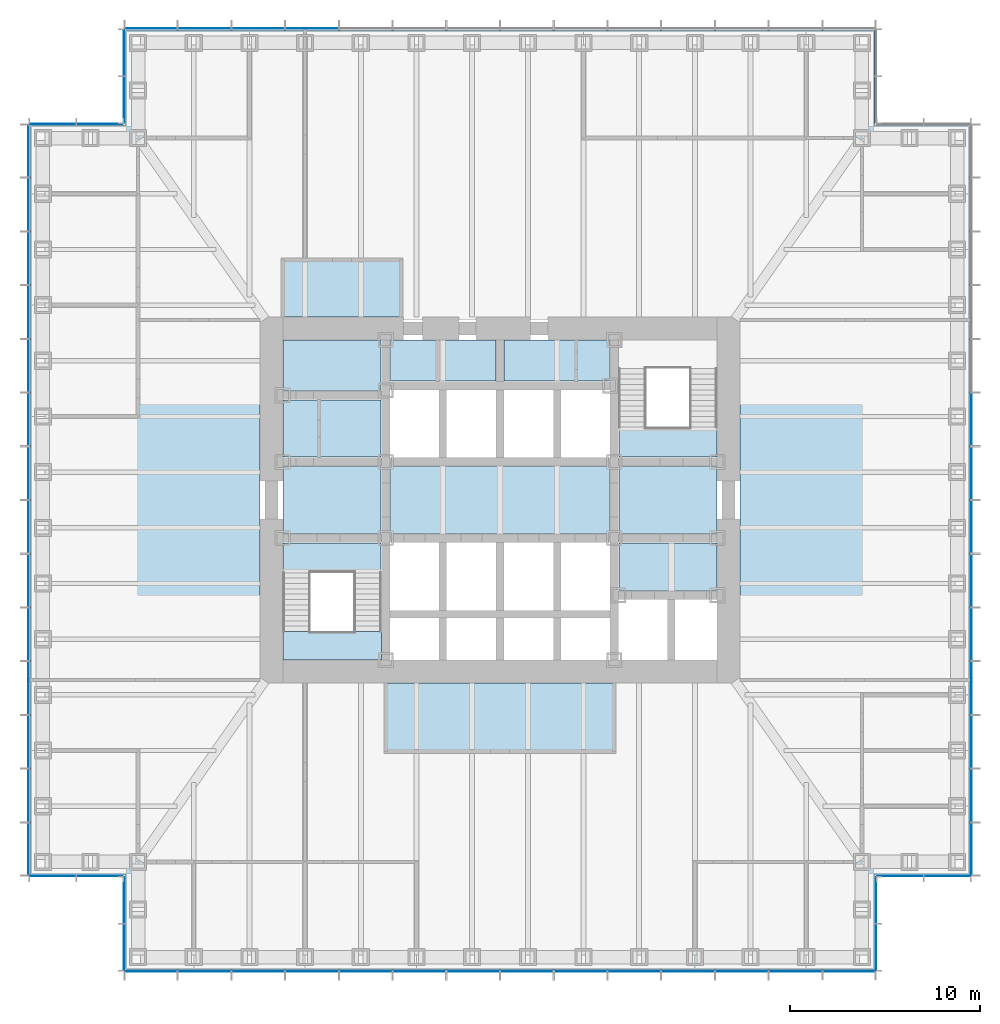
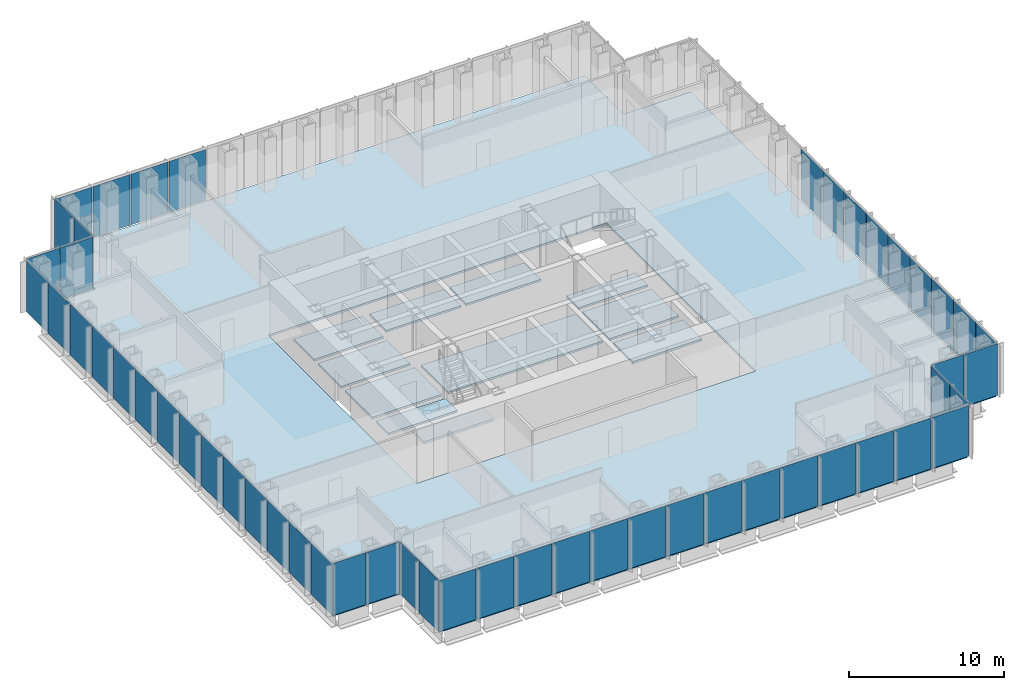
# One storey, part 7 of 17: 53 plates, 12 slabs, 11 elements without a shape of their own.
"""IFC4 building model written with IfcOpenShell, lengths in metres."""

import ifcopenshell
import ifcopenshell.guid

model = None  # the IFC model being written
_history = None  # IfcOwnerHistory: only IFC2X3 demands one
_inside = {}  # id of a spatial element -> (the spatial element, [elements in it])
_under = {}  # id of a project, library or spatial element -> (it, [spatial elements below it])
_declared = {}  # id of a project -> (the project, [libraries it declares])
_typed = {}  # id of a type object -> (the type object, [elements of that type])
_made_of = {}  # id of a material, layer set ... -> (it, [elements and type objects made of it])


def new_model(schema):
    """Start an empty IFC model of exactly this schema.

    Asked for "IFC4X3", IfcOpenShell would pick the latest addendum, in which some entities
    have other attributes; the version numbers below select the first issue.
    IFC2X3 requires an IfcOwnerHistory on every rooted entity: one is made here for all.
    """
    global model, _history
    if schema == "IFC4X3":
        model = ifcopenshell.file(schema_version=(4, 3, 0, 0))
    else:
        model = ifcopenshell.file(schema=schema)
    _inside.clear()
    _under.clear()
    _declared.clear()
    _typed.clear()
    _made_of.clear()
    _history = None
    if model.schema == "IFC2X3":
        org = make("IfcOrganization", Name="unknown")
        user = make(
            "IfcPersonAndOrganization",
            ThePerson=make("IfcPerson", FamilyName="unknown"),
            TheOrganization=org,
        )
        app = make(
            "IfcApplication",
            ApplicationDeveloper=org,
            Version="unknown",
            ApplicationFullName="unknown",
            ApplicationIdentifier="unknown",
        )
        _history = make(
            "IfcOwnerHistory",
            OwningUser=user,
            OwningApplication=app,
            ChangeAction="ADDED",
            CreationDate=0,
        )
    return model


def make(cls, **values):
    """One entity of the class cls with the attributes given. An attribute that is None is left unset."""
    return model.create_entity(
        cls, **{name: value for name, value in values.items() if value is not None}
    )


def rooted(cls, **values):
    """An entity with a GlobalId (a new one), such as an element, a storey or a relation."""
    return make(cls, GlobalId=ifcopenshell.guid.new(), OwnerHistory=_history, **values)


def si_unit(unit_type, name, prefix=None):
    """IfcSIUnit, for example si_unit("LENGTHUNIT", "METRE", prefix="MILLI")."""
    return make("IfcSIUnit", UnitType=unit_type, Prefix=prefix, Name=name)


def assignment(units):
    """IfcUnitAssignment: the units of a project."""
    return None if units is None else make("IfcUnitAssignment", Units=units)


def point(xyz):
    """IfcCartesianPoint."""
    return None if xyz is None else make("IfcCartesianPoint", Coordinates=xyz)


def direction(xyz):
    """IfcDirection."""
    return None if xyz is None else make("IfcDirection", DirectionRatios=xyz)


def frame(location, z_axis=None, x_axis=None):
    """IfcAxis2Placement3D, a coordinate frame: its origin and axes. An axis left out is left unset."""
    return make(
        "IfcAxis2Placement3D",
        Location=point(location),
        Axis=direction(z_axis),
        RefDirection=direction(x_axis),
    )


def frame_2d(location, x_axis=None):
    """IfcAxis2Placement2D, a coordinate frame in the plane: its origin and x axis."""
    return make(
        "IfcAxis2Placement2D", Location=point(location), RefDirection=direction(x_axis)
    )


def origin():
    """The frame at (0, 0, 0) with its axes left unset."""
    return frame((0.0, 0.0, 0.0))


def origin_2d():
    """The frame at (0, 0) in the plane with its x axis left unset."""
    return frame_2d((0.0, 0.0))


def place(relative_to, where):
    """IfcLocalPlacement: puts the frame where relative to a parent placement (None: the world)."""
    return make(
        "IfcLocalPlacement", PlacementRelTo=relative_to, RelativePlacement=where
    )


def context(
    kind, dimensions, precision=None, world=None, true_north=None, identifier=None
):
    """IfcGeometricRepresentationContext, for example the 3D "Model" context."""
    return make(
        "IfcGeometricRepresentationContext",
        ContextIdentifier=identifier,
        ContextType=kind,
        CoordinateSpaceDimension=dimensions,
        Precision=precision,
        WorldCoordinateSystem=world,
        TrueNorth=true_north,
    )


def subcontext(parent, identifier, kind, view, scale=None):
    """IfcGeometricRepresentationSubContext, for example "Body" below "Model"."""
    return make(
        "IfcGeometricRepresentationSubContext",
        ContextIdentifier=identifier,
        ContextType=kind,
        ParentContext=parent,
        TargetScale=scale,
        TargetView=view,
    )


def project(units=None, contexts=None):
    """IfcProject with its units and contexts."""
    return rooted(
        "IfcProject",
        Name="project",
        RepresentationContexts=contexts,
        UnitsInContext=assignment(units),
    )


def spatial(cls, under=None, at=None, **own):
    """A site, building, storey or space (cls), placed at a placement, below another one or the project."""
    s = rooted(cls, ObjectPlacement=at, **own)
    if under is not None:
        _under.setdefault(under.id(), (under, []))[1].append(s)
    return s


def polyline(points):
    """IfcPolyline through the points."""
    return make("IfcPolyline", Points=[point(p) for p in points])


def profile(cls, at=None, kind="AREA", **sizes):
    """A parametric profile (cls). Its sizes go by their IFC names, for example OverallWidth=200.0."""
    return make(cls, ProfileType=kind, Position=at, **sizes)


def rectangle(**sizes):
    """IfcRectangleProfileDef."""
    return profile("IfcRectangleProfileDef", **sizes)


def outline(outer, holes=None, kind="AREA"):
    """IfcArbitraryClosedProfileDef: a profile drawn as a closed curve; with holes, ...WithVoids."""
    if holes is None:
        return make("IfcArbitraryClosedProfileDef", ProfileType=kind, OuterCurve=outer)
    return make(
        "IfcArbitraryProfileDefWithVoids",
        ProfileType=kind,
        OuterCurve=outer,
        InnerCurves=holes,
    )


def extrude(swept, where, along, depth):
    """IfcExtrudedAreaSolid: the profile swept, set in the frame where, extruded along a direction by depth."""
    return make(
        "IfcExtrudedAreaSolid",
        SweptArea=swept,
        Position=where,
        ExtrudedDirection=direction(along),
        Depth=depth,
    )


def shape(context_of_items, identifier, shape_type, items):
    """IfcShapeRepresentation: the items that make up one representation, for example the "Body"."""
    return make(
        "IfcShapeRepresentation",
        ContextOfItems=context_of_items,
        RepresentationIdentifier=identifier,
        RepresentationType=shape_type,
        Items=items,
    )


def material(Name=None, Category=None):
    """IfcMaterial."""
    return make("IfcMaterial", Name=Name, Category=Category)


def layer(
    of_material, thickness, ventilated=None, Name=None, Category=None, Priority=None
):
    """IfcMaterialLayer: one layer of a wall or slab, of a material (None: an air gap)."""
    return make(
        "IfcMaterialLayer",
        Material=of_material,
        LayerThickness=thickness,
        IsVentilated=ventilated,
        Name=Name,
        Category=Category,
        Priority=Priority,
    )


def layer_set(layers, Name=None):
    """IfcMaterialLayerSet."""
    return make("IfcMaterialLayerSet", MaterialLayers=layers, LayerSetName=Name)


def made_of(thing, what):
    """Note that an element or type object is made of a material, layer set ...; save() writes the relation."""
    if what is not None:
        _made_of.setdefault(what.id(), (what, []))[1].append(thing)
    return thing


def type_object(cls, material=None, **own):
    """A type object (cls), such as IfcWallType, which elements share."""
    return made_of(rooted(cls, **own), material)


def element(
    cls,
    number,
    at=None,
    inside=None,
    cuts=None,
    type_object=None,
    material=None,
    context=None,
    identifier="Body",
    shape_type=None,
    held_by="IfcProductDefinitionShape",
    body=None,
    shapes=None,
    **own,
):
    """One element of the class cls, such as IfcWall. Its Tag is "e" and its number.

    at: its placement. inside: the storey or other place that contains it. cuts: it is an
    opening in that element (IfcRelVoidsElement). A single representation is given by context,
    identifier, shape_type and body (its items); several are given by shapes. held_by: the class
    of the entity that holds the representations. save() writes the other relations.
    """
    e = rooted(cls, Tag="e%d" % number, ObjectPlacement=at, **own)
    if body is not None:
        shapes = [shape(context, identifier, shape_type, body)]
    if shapes is not None:
        e.Representation = make(held_by, Representations=shapes)
    if inside is not None:
        _inside.setdefault(inside.id(), (inside, []))[1].append(e)
    if cuts is not None:
        rooted(
            "IfcRelVoidsElement", RelatingBuildingElement=cuts, RelatedOpeningElement=e
        )
    if type_object is not None:
        _typed.setdefault(type_object.id(), (type_object, []))[1].append(e)
    return made_of(e, material)


def aggregate(whole, parts):
    """IfcRelAggregates: a whole, such as a stair, and the parts it consists of."""
    return rooted("IfcRelAggregates", RelatingObject=whole, RelatedObjects=parts)


def save(model, path):
    """Write the relations noted so far, then the file.

    IfcRelAggregates (storeys below a building ...), IfcRelContainedInSpatialStructure (elements
    in a storey), IfcRelDefinesByType, IfcRelAssociatesMaterial and IfcRelDeclares: one each for
    every whole, place, type object, material and project.
    """
    for whole, parts in _under.values():
        aggregate(whole, parts)
    for where, things in _inside.values():
        rooted(
            "IfcRelContainedInSpatialStructure",
            RelatedElements=things,
            RelatingStructure=where,
        )
    for kind, things in _typed.values():
        rooted("IfcRelDefinesByType", RelatedObjects=things, RelatingType=kind)
    for what, things in _made_of.values():
        rooted("IfcRelAssociatesMaterial", RelatedObjects=things, RelatingMaterial=what)
    for by, libraries in _declared.values():
        rooted("IfcRelDeclares", RelatingContext=by, RelatedDefinitions=libraries)
    model.write(path)


model = new_model("IFC4")

# Units and contexts
model_context = context("Model", 3, precision=1e-05, world=origin(), true_north=direction((0.0, 1.0)))
body_context = subcontext(model_context, "Body", "Model", "MODEL_VIEW")
ifc_project = project(units=[si_unit("LENGTHUNIT", "METRE"), si_unit("AREAUNIT", "SQUARE_METRE"), si_unit("VOLUMEUNIT", "CUBIC_METRE"), si_unit("PLANEANGLEUNIT", "RADIAN"), si_unit("MASSUNIT", "GRAM", prefix="KILO")], contexts=[model_context])

# Site, building, storey
site_placement = place(None, origin())
site = spatial("IfcSite", under=ifc_project, at=site_placement, CompositionType="ELEMENT")
building_placement = place(site_placement, origin())
building = spatial("IfcBuilding", under=site, at=building_placement, Name="Daluyong Arena Tower", CompositionType="ELEMENT")
storey_placement = place(building_placement, frame((0.0, 0.0, 89.5)))
storey = spatial("IfcBuildingStorey", under=building, at=storey_placement, Name="L19", CompositionType="ELEMENT", Elevation=89.5)

# Curtain wall, plates
ifc_material_1 = material(Name="Bronze anodised aluminium and glass", Category="aluminium")
curtain_wall_type_1 = type_object("IfcCurtainWallType", Name="Curtain wall CW1", PredefinedType="USERDEFINED", material=ifc_material_1)
curtain_wall_1_placement = place(storey_placement, origin())
curtain_wall_1 = element("IfcCurtainWall", 1, at=curtain_wall_1_placement, inside=storey, type_object=curtain_wall_type_1, Name="curtain wall L19 S", ObjectType="UNITISED CURTAIN WALL", PredefinedType="USERDEFINED")
ifc_material_2 = material(Name="Tinted double glazed unit", Category="glass")
ifc_layer_1 = layer(ifc_material_2, 0.031982421875)
ifc_layer_set_1 = layer_set([ifc_layer_1], Name="Tinted double glazed unit")
plate_type_1 = type_object("IfcPlateType", Name="CW1 panel 32", PredefinedType="CURTAIN_PANEL", material=ifc_layer_set_1)
plate_1_placement = place(storey_placement, frame((37.6806640625, 55.25, 0.0), z_axis=(0.0, 0.0, 1.0), x_axis=(1.0, 0.0, 0.0)))
plate_1 = element("IfcPlate", 2, at=plate_1_placement, type_object=plate_type_1, Name="curtain wall L19 S panel 1", PredefinedType="CURTAIN_PANEL", context=body_context, shape_type="SweptSolid", body=[
    extrude(rectangle(XDim=2.701416015625, YDim=0.031982421875, at=origin_2d()), origin(), (0.0, 0.0, 1.0), 4.0),
])
plate_2_placement = place(storey_placement, frame((40.482177734375, 55.25, 0.0), z_axis=(0.0, 0.0, 1.0), x_axis=(1.0, 0.0, 0.0)))
plate_2 = element("IfcPlate", 3, at=plate_2_placement, type_object=plate_type_1, Name="curtain wall L19 S panel 2", PredefinedType="CURTAIN_PANEL", context=body_context, shape_type="SweptSolid", body=[
    extrude(rectangle(XDim=2.741455078125, YDim=0.031982421875, at=origin_2d()), origin(), (0.0, 0.0, 1.0), 4.0),
])
plate_3_placement = place(storey_placement, frame((43.303466796875, 55.25, 0.0), z_axis=(0.0, 0.0, 1.0), x_axis=(1.0, 0.0, 0.0)))
plate_3 = element("IfcPlate", 4, at=plate_3_placement, type_object=plate_type_1, Name="curtain wall L19 S panel 3", PredefinedType="CURTAIN_PANEL", context=body_context, shape_type="SweptSolid", body=[
    extrude(rectangle(XDim=2.741455078125, YDim=0.031982421875, at=origin_2d()), origin(), (0.0, 0.0, 1.0), 4.0),
])
plate_4_placement = place(storey_placement, frame((46.125, 55.25, 0.0), z_axis=(0.0, 0.0, 1.0), x_axis=(1.0, 0.0, 0.0)))
plate_4 = element("IfcPlate", 5, at=plate_4_placement, type_object=plate_type_1, Name="curtain wall L19 S panel 4", PredefinedType="CURTAIN_PANEL", context=body_context, shape_type="SweptSolid", body=[
    extrude(rectangle(XDim=2.741455078125, YDim=0.031982421875, at=origin_2d()), origin(), (0.0, 0.0, 1.0), 4.0),
])
plate_5_placement = place(storey_placement, frame((48.946533203125, 55.25, 0.0), z_axis=(0.0, 0.0, 1.0), x_axis=(1.0, 0.0, 0.0)))
plate_5 = element("IfcPlate", 6, at=plate_5_placement, type_object=plate_type_1, Name="curtain wall L19 S panel 5", PredefinedType="CURTAIN_PANEL", context=body_context, shape_type="SweptSolid", body=[
    extrude(rectangle(XDim=2.741455078125, YDim=0.031982421875, at=origin_2d()), origin(), (0.0, 0.0, 1.0), 4.0),
])
plate_6_placement = place(storey_placement, frame((51.767822265625, 55.25, 0.0), z_axis=(0.0, 0.0, 1.0), x_axis=(1.0, 0.0, 0.0)))
plate_6 = element("IfcPlate", 7, at=plate_6_placement, type_object=plate_type_1, Name="curtain wall L19 S panel 6", PredefinedType="CURTAIN_PANEL", context=body_context, shape_type="SweptSolid", body=[
    extrude(rectangle(XDim=2.741455078125, YDim=0.031982421875, at=origin_2d()), origin(), (0.0, 0.0, 1.0), 4.0),
])
plate_7_placement = place(storey_placement, frame((54.58935546875, 55.25, 0.0), z_axis=(0.0, 0.0, 1.0), x_axis=(1.0, 0.0, 0.0)))
plate_7 = element("IfcPlate", 8, at=plate_7_placement, type_object=plate_type_1, Name="curtain wall L19 S panel 7", PredefinedType="CURTAIN_PANEL", context=body_context, shape_type="SweptSolid", body=[
    extrude(rectangle(XDim=2.741455078125, YDim=0.031982421875, at=origin_2d()), origin(), (0.0, 0.0, 1.0), 4.0),
])
plate_8_placement = place(storey_placement, frame((57.41064453125, 55.25, 0.0), z_axis=(0.0, 0.0, 1.0), x_axis=(1.0, 0.0, 0.0)))
plate_8 = element("IfcPlate", 9, at=plate_8_placement, type_object=plate_type_1, Name="curtain wall L19 S panel 8", PredefinedType="CURTAIN_PANEL", context=body_context, shape_type="SweptSolid", body=[
    extrude(rectangle(XDim=2.741455078125, YDim=0.031982421875, at=origin_2d()), origin(), (0.0, 0.0, 1.0), 4.0),
])
plate_9_placement = place(storey_placement, frame((60.232177734375, 55.25, 0.0), z_axis=(0.0, 0.0, 1.0), x_axis=(1.0, 0.0, 0.0)))
plate_9 = element("IfcPlate", 10, at=plate_9_placement, type_object=plate_type_1, Name="curtain wall L19 S panel 9", PredefinedType="CURTAIN_PANEL", context=body_context, shape_type="SweptSolid", body=[
    extrude(rectangle(XDim=2.741455078125, YDim=0.031982421875, at=origin_2d()), origin(), (0.0, 0.0, 1.0), 4.0),
])
plate_10_placement = place(storey_placement, frame((63.053466796875, 55.25, 0.0), z_axis=(0.0, 0.0, 1.0), x_axis=(1.0, 0.0, 0.0)))
plate_10 = element("IfcPlate", 11, at=plate_10_placement, type_object=plate_type_1, Name="curtain wall L19 S panel 10", PredefinedType="CURTAIN_PANEL", context=body_context, shape_type="SweptSolid", body=[
    extrude(rectangle(XDim=2.741455078125, YDim=0.031982421875, at=origin_2d()), origin(), (0.0, 0.0, 1.0), 4.0),
])
plate_11_placement = place(storey_placement, frame((65.875, 55.25, 0.0), z_axis=(0.0, 0.0, 1.0), x_axis=(1.0, 0.0, 0.0)))
plate_11 = element("IfcPlate", 12, at=plate_11_placement, type_object=plate_type_1, Name="curtain wall L19 S panel 11", PredefinedType="CURTAIN_PANEL", context=body_context, shape_type="SweptSolid", body=[
    extrude(rectangle(XDim=2.741455078125, YDim=0.031982421875, at=origin_2d()), origin(), (0.0, 0.0, 1.0), 4.0),
])
plate_12_placement = place(storey_placement, frame((68.696533203125, 55.25, 0.0), z_axis=(0.0, 0.0, 1.0), x_axis=(1.0, 0.0, 0.0)))
plate_12 = element("IfcPlate", 13, at=plate_12_placement, type_object=plate_type_1, Name="curtain wall L19 S panel 12", PredefinedType="CURTAIN_PANEL", context=body_context, shape_type="SweptSolid", body=[
    extrude(rectangle(XDim=2.741455078125, YDim=0.031982421875, at=origin_2d()), origin(), (0.0, 0.0, 1.0), 4.0),
])
plate_13_placement = place(storey_placement, frame((71.517822265625, 55.25, 0.0), z_axis=(0.0, 0.0, 1.0), x_axis=(1.0, 0.0, 0.0)))
plate_13 = element("IfcPlate", 14, at=plate_13_placement, type_object=plate_type_1, Name="curtain wall L19 S panel 13", PredefinedType="CURTAIN_PANEL", context=body_context, shape_type="SweptSolid", body=[
    extrude(rectangle(XDim=2.741455078125, YDim=0.031982421875, at=origin_2d()), origin(), (0.0, 0.0, 1.0), 4.0),
])
plate_14_placement = place(storey_placement, frame((74.3193359375, 55.25, 0.0), z_axis=(0.0, 0.0, 1.0), x_axis=(1.0, 0.0, 0.0)))
plate_14 = element("IfcPlate", 15, at=plate_14_placement, type_object=plate_type_1, Name="curtain wall L19 S panel 14", PredefinedType="CURTAIN_PANEL", context=body_context, shape_type="SweptSolid", body=[
    extrude(rectangle(XDim=2.701416015625, YDim=0.031982421875, at=origin_2d()), origin(), (0.0, 0.0, 1.0), 4.0),
])
aggregate(curtain_wall_1, [plate_1, plate_2, plate_3, plate_4, plate_5, plate_6, plate_7, plate_8, plate_9, plate_10, plate_11, plate_12, plate_13, plate_14])

curtain_wall_2_placement = place(storey_placement, origin())
curtain_wall_2 = element("IfcCurtainWall", 16, at=curtain_wall_2_placement, inside=storey, type_object=curtain_wall_type_1, Name="curtain wall L19 E", ObjectType="UNITISED CURTAIN WALL", PredefinedType="USERDEFINED")
plate_15_placement = place(storey_placement, frame((80.75, 61.6806640625, 0.0), z_axis=(0.0, 0.0, 1.0), x_axis=(0.0, 1.0, 0.0)))
plate_15 = element("IfcPlate", 17, at=plate_15_placement, type_object=plate_type_1, Name="curtain wall L19 E panel 1", PredefinedType="CURTAIN_PANEL", context=body_context, shape_type="SweptSolid", body=[
    extrude(rectangle(XDim=2.701416015625, YDim=0.031982421875, at=origin_2d()), origin(), (0.0, 0.0, 1.0), 4.0),
])
plate_16_placement = place(storey_placement, frame((80.75, 64.482177734375, 0.0), z_axis=(0.0, 0.0, 1.0), x_axis=(0.0, 1.0, 0.0)))
plate_16 = element("IfcPlate", 18, at=plate_16_placement, type_object=plate_type_1, Name="curtain wall L19 E panel 2", PredefinedType="CURTAIN_PANEL", context=body_context, shape_type="SweptSolid", body=[
    extrude(rectangle(XDim=2.741455078125, YDim=0.031982421875, at=origin_2d()), origin(), (0.0, 0.0, 1.0), 4.0),
])
plate_17_placement = place(storey_placement, frame((80.75, 67.303466796875, 0.0), z_axis=(0.0, 0.0, 1.0), x_axis=(0.0, 1.0, 0.0)))
plate_17 = element("IfcPlate", 19, at=plate_17_placement, type_object=plate_type_1, Name="curtain wall L19 E panel 3", PredefinedType="CURTAIN_PANEL", context=body_context, shape_type="SweptSolid", body=[
    extrude(rectangle(XDim=2.741455078125, YDim=0.031982421875, at=origin_2d()), origin(), (0.0, 0.0, 1.0), 4.0),
])
plate_18_placement = place(storey_placement, frame((80.75, 70.125, 0.0), z_axis=(0.0, 0.0, 1.0), x_axis=(0.0, 1.0, 0.0)))
plate_18 = element("IfcPlate", 20, at=plate_18_placement, type_object=plate_type_1, Name="curtain wall L19 E panel 4", PredefinedType="CURTAIN_PANEL", context=body_context, shape_type="SweptSolid", body=[
    extrude(rectangle(XDim=2.741455078125, YDim=0.031982421875, at=origin_2d()), origin(), (0.0, 0.0, 1.0), 4.0),
])
plate_19_placement = place(storey_placement, frame((80.75, 72.946533203125, 0.0), z_axis=(0.0, 0.0, 1.0), x_axis=(0.0, 1.0, 0.0)))
plate_19 = element("IfcPlate", 21, at=plate_19_placement, type_object=plate_type_1, Name="curtain wall L19 E panel 5", PredefinedType="CURTAIN_PANEL", context=body_context, shape_type="SweptSolid", body=[
    extrude(rectangle(XDim=2.741455078125, YDim=0.031982421875, at=origin_2d()), origin(), (0.0, 0.0, 1.0), 4.0),
])
plate_20_placement = place(storey_placement, frame((80.75, 75.767822265625, 0.0), z_axis=(0.0, 0.0, 1.0), x_axis=(0.0, 1.0, 0.0)))
plate_20 = element("IfcPlate", 22, at=plate_20_placement, type_object=plate_type_1, Name="curtain wall L19 E panel 6", PredefinedType="CURTAIN_PANEL", context=body_context, shape_type="SweptSolid", body=[
    extrude(rectangle(XDim=2.741455078125, YDim=0.031982421875, at=origin_2d()), origin(), (0.0, 0.0, 1.0), 4.0),
])
plate_21_placement = place(storey_placement, frame((80.75, 78.58935546875, 0.0), z_axis=(0.0, 0.0, 1.0), x_axis=(0.0, 1.0, 0.0)))
plate_21 = element("IfcPlate", 23, at=plate_21_placement, type_object=plate_type_1, Name="curtain wall L19 E panel 7", PredefinedType="CURTAIN_PANEL", context=body_context, shape_type="SweptSolid", body=[
    extrude(rectangle(XDim=2.741455078125, YDim=0.031982421875, at=origin_2d()), origin(), (0.0, 0.0, 1.0), 4.0),
])
plate_22_placement = place(storey_placement, frame((80.75, 81.41064453125, 0.0), z_axis=(0.0, 0.0, 1.0), x_axis=(0.0, 1.0, 0.0)))
plate_22 = element("IfcPlate", 24, at=plate_22_placement, type_object=plate_type_1, Name="curtain wall L19 E panel 8", PredefinedType="CURTAIN_PANEL", context=body_context, shape_type="SweptSolid", body=[
    extrude(rectangle(XDim=2.741455078125, YDim=0.031982421875, at=origin_2d()), origin(), (0.0, 0.0, 1.0), 4.0),
])
plate_23_placement = place(storey_placement, frame((80.75, 84.232177734375, 0.0), z_axis=(0.0, 0.0, 1.0), x_axis=(0.0, 1.0, 0.0)))
plate_23 = element("IfcPlate", 25, at=plate_23_placement, type_object=plate_type_1, Name="curtain wall L19 E panel 9", PredefinedType="CURTAIN_PANEL", context=body_context, shape_type="SweptSolid", body=[
    extrude(rectangle(XDim=2.741455078125, YDim=0.031982421875, at=origin_2d()), origin(), (0.0, 0.0, 1.0), 4.0),
])
aggregate(curtain_wall_2, [plate_15, plate_16, plate_17, plate_18, plate_19, plate_20, plate_21, plate_22, plate_23])

curtain_wall_3_placement = place(storey_placement, origin())
curtain_wall_3 = element("IfcCurtainWall", 26, at=curtain_wall_3_placement, inside=storey, type_object=curtain_wall_type_1, Name="curtain wall L19 N", ObjectType="UNITISED CURTAIN WALL", PredefinedType="USERDEFINED")
plate_24_placement = place(storey_placement, frame((46.125, 104.75, 0.0), z_axis=(0.0, 0.0, 1.0), x_axis=(-1.0, 0.0, 0.0)))
plate_24 = element("IfcPlate", 27, at=plate_24_placement, type_object=plate_type_1, Name="curtain wall L19 N panel 11", PredefinedType="CURTAIN_PANEL", context=body_context, shape_type="SweptSolid", body=[
    extrude(rectangle(XDim=2.741455078125, YDim=0.031982421875, at=origin_2d()), origin(), (0.0, 0.0, 1.0), 4.0),
])
plate_25_placement = place(storey_placement, frame((43.303466796875, 104.75, 0.0), z_axis=(0.0, 0.0, 1.0), x_axis=(-1.0, 0.0, 0.0)))
plate_25 = element("IfcPlate", 28, at=plate_25_placement, type_object=plate_type_1, Name="curtain wall L19 N panel 12", PredefinedType="CURTAIN_PANEL", context=body_context, shape_type="SweptSolid", body=[
    extrude(rectangle(XDim=2.741455078125, YDim=0.031982421875, at=origin_2d()), origin(), (0.0, 0.0, 1.0), 4.0),
])
plate_26_placement = place(storey_placement, frame((40.482177734375, 104.75, 0.0), z_axis=(0.0, 0.0, 1.0), x_axis=(-1.0, 0.0, 0.0)))
plate_26 = element("IfcPlate", 29, at=plate_26_placement, type_object=plate_type_1, Name="curtain wall L19 N panel 13", PredefinedType="CURTAIN_PANEL", context=body_context, shape_type="SweptSolid", body=[
    extrude(rectangle(XDim=2.741455078125, YDim=0.031982421875, at=origin_2d()), origin(), (0.0, 0.0, 1.0), 4.0),
])
plate_27_placement = place(storey_placement, frame((37.6806640625, 104.75, 0.0), z_axis=(0.0, 0.0, 1.0), x_axis=(-1.0, 0.0, 0.0)))
plate_27 = element("IfcPlate", 30, at=plate_27_placement, type_object=plate_type_1, Name="curtain wall L19 N panel 14", PredefinedType="CURTAIN_PANEL", context=body_context, shape_type="SweptSolid", body=[
    extrude(rectangle(XDim=2.701416015625, YDim=0.031982421875, at=origin_2d()), origin(), (0.0, 0.0, 1.0), 4.0),
])
aggregate(curtain_wall_3, [plate_24, plate_25, plate_26, plate_27])

curtain_wall_4_placement = place(storey_placement, origin())
curtain_wall_4 = element("IfcCurtainWall", 31, at=curtain_wall_4_placement, inside=storey, type_object=curtain_wall_type_1, Name="curtain wall L19 W", ObjectType="UNITISED CURTAIN WALL", PredefinedType="USERDEFINED")
plate_28_placement = place(storey_placement, frame((31.25, 98.3193359375, 0.0), z_axis=(0.0, 0.0, 1.0), x_axis=(0.0, -1.0, 0.0)))
plate_28 = element("IfcPlate", 32, at=plate_28_placement, type_object=plate_type_1, Name="curtain wall L19 W panel 1", PredefinedType="CURTAIN_PANEL", context=body_context, shape_type="SweptSolid", body=[
    extrude(rectangle(XDim=2.701416015625, YDim=0.031982421875, at=origin_2d()), origin(), (0.0, 0.0, 1.0), 4.0),
])
plate_29_placement = place(storey_placement, frame((31.25, 95.517822265625, 0.0), z_axis=(0.0, 0.0, 1.0), x_axis=(0.0, -1.0, 0.0)))
plate_29 = element("IfcPlate", 33, at=plate_29_placement, type_object=plate_type_1, Name="curtain wall L19 W panel 2", PredefinedType="CURTAIN_PANEL", context=body_context, shape_type="SweptSolid", body=[
    extrude(rectangle(XDim=2.741455078125, YDim=0.031982421875, at=origin_2d()), origin(), (0.0, 0.0, 1.0), 4.0),
])
plate_30_placement = place(storey_placement, frame((31.25, 92.696533203125, 0.0), z_axis=(0.0, 0.0, 1.0), x_axis=(0.0, -1.0, 0.0)))
plate_30 = element("IfcPlate", 34, at=plate_30_placement, type_object=plate_type_1, Name="curtain wall L19 W panel 3", PredefinedType="CURTAIN_PANEL", context=body_context, shape_type="SweptSolid", body=[
    extrude(rectangle(XDim=2.741455078125, YDim=0.031982421875, at=origin_2d()), origin(), (0.0, 0.0, 1.0), 4.0),
])
plate_31_placement = place(storey_placement, frame((31.25, 89.875, 0.0), z_axis=(0.0, 0.0, 1.0), x_axis=(0.0, -1.0, 0.0)))
plate_31 = element("IfcPlate", 35, at=plate_31_placement, type_object=plate_type_1, Name="curtain wall L19 W panel 4", PredefinedType="CURTAIN_PANEL", context=body_context, shape_type="SweptSolid", body=[
    extrude(rectangle(XDim=2.741455078125, YDim=0.031982421875, at=origin_2d()), origin(), (0.0, 0.0, 1.0), 4.0),
])
plate_32_placement = place(storey_placement, frame((31.25, 87.053466796875, 0.0), z_axis=(0.0, 0.0, 1.0), x_axis=(0.0, -1.0, 0.0)))
plate_32 = element("IfcPlate", 36, at=plate_32_placement, type_object=plate_type_1, Name="curtain wall L19 W panel 5", PredefinedType="CURTAIN_PANEL", context=body_context, shape_type="SweptSolid", body=[
    extrude(rectangle(XDim=2.741455078125, YDim=0.031982421875, at=origin_2d()), origin(), (0.0, 0.0, 1.0), 4.0),
])
plate_33_placement = place(storey_placement, frame((31.25, 84.232177734375, 0.0), z_axis=(0.0, 0.0, 1.0), x_axis=(0.0, -1.0, 0.0)))
plate_33 = element("IfcPlate", 37, at=plate_33_placement, type_object=plate_type_1, Name="curtain wall L19 W panel 6", PredefinedType="CURTAIN_PANEL", context=body_context, shape_type="SweptSolid", body=[
    extrude(rectangle(XDim=2.741455078125, YDim=0.031982421875, at=origin_2d()), origin(), (0.0, 0.0, 1.0), 4.0),
])
plate_34_placement = place(storey_placement, frame((31.25, 81.41064453125, 0.0), z_axis=(0.0, 0.0, 1.0), x_axis=(0.0, -1.0, 0.0)))
plate_34 = element("IfcPlate", 38, at=plate_34_placement, type_object=plate_type_1, Name="curtain wall L19 W panel 7", PredefinedType="CURTAIN_PANEL", context=body_context, shape_type="SweptSolid", body=[
    extrude(rectangle(XDim=2.741455078125, YDim=0.031982421875, at=origin_2d()), origin(), (0.0, 0.0, 1.0), 4.0),
])
plate_35_placement = place(storey_placement, frame((31.25, 78.58935546875, 0.0), z_axis=(0.0, 0.0, 1.0), x_axis=(0.0, -1.0, 0.0)))
plate_35 = element("IfcPlate", 39, at=plate_35_placement, type_object=plate_type_1, Name="curtain wall L19 W panel 8", PredefinedType="CURTAIN_PANEL", context=body_context, shape_type="SweptSolid", body=[
    extrude(rectangle(XDim=2.741455078125, YDim=0.031982421875, at=origin_2d()), origin(), (0.0, 0.0, 1.0), 4.0),
])
plate_36_placement = place(storey_placement, frame((31.25, 75.767822265625, 0.0), z_axis=(0.0, 0.0, 1.0), x_axis=(0.0, -1.0, 0.0)))
plate_36 = element("IfcPlate", 40, at=plate_36_placement, type_object=plate_type_1, Name="curtain wall L19 W panel 9", PredefinedType="CURTAIN_PANEL", context=body_context, shape_type="SweptSolid", body=[
    extrude(rectangle(XDim=2.741455078125, YDim=0.031982421875, at=origin_2d()), origin(), (0.0, 0.0, 1.0), 4.0),
])
plate_37_placement = place(storey_placement, frame((31.25, 72.946533203125, 0.0), z_axis=(0.0, 0.0, 1.0), x_axis=(0.0, -1.0, 0.0)))
plate_37 = element("IfcPlate", 41, at=plate_37_placement, type_object=plate_type_1, Name="curtain wall L19 W panel 10", PredefinedType="CURTAIN_PANEL", context=body_context, shape_type="SweptSolid", body=[
    extrude(rectangle(XDim=2.741455078125, YDim=0.031982421875, at=origin_2d()), origin(), (0.0, 0.0, 1.0), 4.0),
])
plate_38_placement = place(storey_placement, frame((31.25, 70.125, 0.0), z_axis=(0.0, 0.0, 1.0), x_axis=(0.0, -1.0, 0.0)))
plate_38 = element("IfcPlate", 42, at=plate_38_placement, type_object=plate_type_1, Name="curtain wall L19 W panel 11", PredefinedType="CURTAIN_PANEL", context=body_context, shape_type="SweptSolid", body=[
    extrude(rectangle(XDim=2.741455078125, YDim=0.031982421875, at=origin_2d()), origin(), (0.0, 0.0, 1.0), 4.0),
])
plate_39_placement = place(storey_placement, frame((31.25, 67.303466796875, 0.0), z_axis=(0.0, 0.0, 1.0), x_axis=(0.0, -1.0, 0.0)))
plate_39 = element("IfcPlate", 43, at=plate_39_placement, type_object=plate_type_1, Name="curtain wall L19 W panel 12", PredefinedType="CURTAIN_PANEL", context=body_context, shape_type="SweptSolid", body=[
    extrude(rectangle(XDim=2.741455078125, YDim=0.031982421875, at=origin_2d()), origin(), (0.0, 0.0, 1.0), 4.0),
])
plate_40_placement = place(storey_placement, frame((31.25, 64.482177734375, 0.0), z_axis=(0.0, 0.0, 1.0), x_axis=(0.0, -1.0, 0.0)))
plate_40 = element("IfcPlate", 44, at=plate_40_placement, type_object=plate_type_1, Name="curtain wall L19 W panel 13", PredefinedType="CURTAIN_PANEL", context=body_context, shape_type="SweptSolid", body=[
    extrude(rectangle(XDim=2.741455078125, YDim=0.031982421875, at=origin_2d()), origin(), (0.0, 0.0, 1.0), 4.0),
])
plate_41_placement = place(storey_placement, frame((31.25, 61.6806640625, 0.0), z_axis=(0.0, 0.0, 1.0), x_axis=(0.0, -1.0, 0.0)))
plate_41 = element("IfcPlate", 45, at=plate_41_placement, type_object=plate_type_1, Name="curtain wall L19 W panel 14", PredefinedType="CURTAIN_PANEL", context=body_context, shape_type="SweptSolid", body=[
    extrude(rectangle(XDim=2.701416015625, YDim=0.031982421875, at=origin_2d()), origin(), (0.0, 0.0, 1.0), 4.0),
])
aggregate(curtain_wall_4, [plate_28, plate_29, plate_30, plate_31, plate_32, plate_33, plate_34, plate_35, plate_36, plate_37, plate_38, plate_39, plate_40, plate_41])

ifc_material_3 = material(Name="Bronze anodised aluminium and glass", Category="aluminium")
curtain_wall_type_2 = type_object("IfcCurtainWallType", Name="Curtain wall CW7", PredefinedType="USERDEFINED", material=ifc_material_3)
curtain_wall_5_placement = place(storey_placement, origin())
curtain_wall_5 = element("IfcCurtainWall", 46, at=curtain_wall_5_placement, inside=storey, type_object=curtain_wall_type_2, Name="curtain wall L19 SE-E", ObjectType="UNITISED CURTAIN WALL", PredefinedType="USERDEFINED")
ifc_material_4 = material(Name="Tinted double glazed unit", Category="glass")
ifc_layer_2 = layer(ifc_material_4, 0.028076171875)
ifc_layer_set_2 = layer_set([ifc_layer_2], Name="Tinted double glazed unit")
plate_type_2 = type_object("IfcPlateType", Name="CW7 panel 28", PredefinedType="CURTAIN_PANEL", material=ifc_layer_set_2)
plate_42_placement = place(storey_placement, frame((75.75, 56.514892578125, 0.0), z_axis=(0.0, 0.0, 1.0), x_axis=(0.0, 1.0, 0.0)))
plate_42 = element("IfcPlate", 47, at=plate_42_placement, type_object=plate_type_2, Name="curtain wall L19 SE-E panel 1", PredefinedType="CURTAIN_PANEL", context=body_context, shape_type="SweptSolid", body=[
    extrude(rectangle(XDim=2.409912109375, YDim=0.028076171875, at=origin_2d()), origin(), (0.0, 0.0, 1.0), 4.080078125),
])
plate_43_placement = place(storey_placement, frame((75.75, 58.985107421875, 0.0), z_axis=(0.0, 0.0, 1.0), x_axis=(0.0, 1.0, 0.0)))
plate_43 = element("IfcPlate", 48, at=plate_43_placement, type_object=plate_type_2, Name="curtain wall L19 SE-E panel 2", PredefinedType="CURTAIN_PANEL", context=body_context, shape_type="SweptSolid", body=[
    extrude(rectangle(XDim=2.409912109375, YDim=0.028076171875, at=origin_2d()), origin(), (0.0, 0.0, 1.0), 4.080078125),
])
aggregate(curtain_wall_5, [plate_42, plate_43])

curtain_wall_6_placement = place(storey_placement, origin())
curtain_wall_6 = element("IfcCurtainWall", 49, at=curtain_wall_6_placement, inside=storey, type_object=curtain_wall_type_2, Name="curtain wall L19 SE-S", ObjectType="UNITISED CURTAIN WALL", PredefinedType="USERDEFINED")
plate_44_placement = place(storey_placement, frame((77.014892578125, 60.25, 0.0), z_axis=(0.0, 0.0, 1.0), x_axis=(1.0, 0.0, 0.0)))
plate_44 = element("IfcPlate", 50, at=plate_44_placement, type_object=plate_type_2, Name="curtain wall L19 SE-S panel 1", PredefinedType="CURTAIN_PANEL", context=body_context, shape_type="SweptSolid", body=[
    extrude(rectangle(XDim=2.409912109375, YDim=0.028076171875, at=origin_2d()), origin(), (0.0, 0.0, 1.0), 4.080078125),
])
plate_45_placement = place(storey_placement, frame((79.485107421875, 60.25, 0.0), z_axis=(0.0, 0.0, 1.0), x_axis=(1.0, 0.0, 0.0)))
plate_45 = element("IfcPlate", 51, at=plate_45_placement, type_object=plate_type_2, Name="curtain wall L19 SE-S panel 2", PredefinedType="CURTAIN_PANEL", context=body_context, shape_type="SweptSolid", body=[
    extrude(rectangle(XDim=2.409912109375, YDim=0.028076171875, at=origin_2d()), origin(), (0.0, 0.0, 1.0), 4.080078125),
])
aggregate(curtain_wall_6, [plate_44, plate_45])

curtain_wall_7_placement = place(storey_placement, origin())
curtain_wall_7 = element("IfcCurtainWall", 52, at=curtain_wall_7_placement, inside=storey, type_object=curtain_wall_type_2, Name="curtain wall L19 NW-W", ObjectType="UNITISED CURTAIN WALL", PredefinedType="USERDEFINED")
plate_46_placement = place(storey_placement, frame((36.25, 103.485107421875, 0.0), z_axis=(0.0, 0.0, 1.0), x_axis=(0.0, -1.0, 0.0)))
plate_46 = element("IfcPlate", 53, at=plate_46_placement, type_object=plate_type_2, Name="curtain wall L19 NW-W panel 1", PredefinedType="CURTAIN_PANEL", context=body_context, shape_type="SweptSolid", body=[
    extrude(rectangle(XDim=2.409912109375, YDim=0.028076171875, at=origin_2d()), origin(), (0.0, 0.0, 1.0), 4.080078125),
])
plate_47_placement = place(storey_placement, frame((36.25, 101.014892578125, 0.0), z_axis=(0.0, 0.0, 1.0), x_axis=(0.0, -1.0, 0.0)))
plate_47 = element("IfcPlate", 54, at=plate_47_placement, type_object=plate_type_2, Name="curtain wall L19 NW-W panel 2", PredefinedType="CURTAIN_PANEL", context=body_context, shape_type="SweptSolid", body=[
    extrude(rectangle(XDim=2.409912109375, YDim=0.028076171875, at=origin_2d()), origin(), (0.0, 0.0, 1.0), 4.080078125),
])
aggregate(curtain_wall_7, [plate_46, plate_47])

curtain_wall_8_placement = place(storey_placement, origin())
curtain_wall_8 = element("IfcCurtainWall", 55, at=curtain_wall_8_placement, inside=storey, type_object=curtain_wall_type_2, Name="curtain wall L19 NW-N", ObjectType="UNITISED CURTAIN WALL", PredefinedType="USERDEFINED")
plate_48_placement = place(storey_placement, frame((34.985107421875, 99.75, 0.0), z_axis=(0.0, 0.0, 1.0), x_axis=(-1.0, 0.0, 0.0)))
plate_48 = element("IfcPlate", 56, at=plate_48_placement, type_object=plate_type_2, Name="curtain wall L19 NW-N panel 1", PredefinedType="CURTAIN_PANEL", context=body_context, shape_type="SweptSolid", body=[
    extrude(rectangle(XDim=2.409912109375, YDim=0.028076171875, at=origin_2d()), origin(), (0.0, 0.0, 1.0), 4.080078125),
])
plate_49_placement = place(storey_placement, frame((32.514892578125, 99.75, 0.0), z_axis=(0.0, 0.0, 1.0), x_axis=(-1.0, 0.0, 0.0)))
plate_49 = element("IfcPlate", 57, at=plate_49_placement, type_object=plate_type_2, Name="curtain wall L19 NW-N panel 2", PredefinedType="CURTAIN_PANEL", context=body_context, shape_type="SweptSolid", body=[
    extrude(rectangle(XDim=2.409912109375, YDim=0.028076171875, at=origin_2d()), origin(), (0.0, 0.0, 1.0), 4.080078125),
])
aggregate(curtain_wall_8, [plate_48, plate_49])

curtain_wall_9_placement = place(storey_placement, origin())
curtain_wall_9 = element("IfcCurtainWall", 58, at=curtain_wall_9_placement, inside=storey, type_object=curtain_wall_type_2, Name="curtain wall L19 SW-S", ObjectType="UNITISED CURTAIN WALL", PredefinedType="USERDEFINED")
plate_50_placement = place(storey_placement, frame((32.514892578125, 60.25, 0.0), z_axis=(0.0, 0.0, 1.0), x_axis=(1.0, 0.0, 0.0)))
plate_50 = element("IfcPlate", 59, at=plate_50_placement, type_object=plate_type_2, Name="curtain wall L19 SW-S panel 1", PredefinedType="CURTAIN_PANEL", context=body_context, shape_type="SweptSolid", body=[
    extrude(rectangle(XDim=2.409912109375, YDim=0.028076171875, at=origin_2d()), origin(), (0.0, 0.0, 1.0), 4.080078125),
])
plate_51_placement = place(storey_placement, frame((34.985107421875, 60.25, 0.0), z_axis=(0.0, 0.0, 1.0), x_axis=(1.0, 0.0, 0.0)))
plate_51 = element("IfcPlate", 60, at=plate_51_placement, type_object=plate_type_2, Name="curtain wall L19 SW-S panel 2", PredefinedType="CURTAIN_PANEL", context=body_context, shape_type="SweptSolid", body=[
    extrude(rectangle(XDim=2.409912109375, YDim=0.028076171875, at=origin_2d()), origin(), (0.0, 0.0, 1.0), 4.080078125),
])
aggregate(curtain_wall_9, [plate_50, plate_51])

curtain_wall_10_placement = place(storey_placement, origin())
curtain_wall_10 = element("IfcCurtainWall", 61, at=curtain_wall_10_placement, inside=storey, type_object=curtain_wall_type_2, Name="curtain wall L19 SW-W", ObjectType="UNITISED CURTAIN WALL", PredefinedType="USERDEFINED")
plate_52_placement = place(storey_placement, frame((36.25, 58.985107421875, 0.0), z_axis=(0.0, 0.0, 1.0), x_axis=(0.0, -1.0, 0.0)))
plate_52 = element("IfcPlate", 62, at=plate_52_placement, type_object=plate_type_2, Name="curtain wall L19 SW-W panel 1", PredefinedType="CURTAIN_PANEL", context=body_context, shape_type="SweptSolid", body=[
    extrude(rectangle(XDim=2.409912109375, YDim=0.028076171875, at=origin_2d()), origin(), (0.0, 0.0, 1.0), 4.080078125),
])
plate_53_placement = place(storey_placement, frame((36.25, 56.514892578125, 0.0), z_axis=(0.0, 0.0, 1.0), x_axis=(0.0, -1.0, 0.0)))
plate_53 = element("IfcPlate", 63, at=plate_53_placement, type_object=plate_type_2, Name="curtain wall L19 SW-W panel 2", PredefinedType="CURTAIN_PANEL", context=body_context, shape_type="SweptSolid", body=[
    extrude(rectangle(XDim=2.409912109375, YDim=0.028076171875, at=origin_2d()), origin(), (0.0, 0.0, 1.0), 4.080078125),
])
aggregate(curtain_wall_10, [plate_52, plate_53])

# Stair, slab
ifc_material_5 = material(Name="Concrete fc' 35 MPa", Category="concrete")
stair_type = type_object("IfcStairType", Name="Core exit stair", PredefinedType="HALF_TURN_STAIR", material=ifc_material_5)
stair_placement = place(storey_placement, origin())
stair = element("IfcStair", 64, at=stair_placement, inside=storey, type_object=stair_type, Name="exit stair A L19", PredefinedType="HALF_TURN_STAIR")
ifc_material_6 = material(Name="Concrete fc' 35 MPa", Category="concrete")
ifc_layer_3 = layer(ifc_material_6, 0.199951171875)
ifc_layer_set_3 = layer_set([ifc_layer_3], Name="Concrete fc' 35 MPa")
slab_type_1 = type_object("IfcSlabType", Name="Stair landing 200", PredefinedType="LANDING", material=ifc_layer_set_3)
slab_1_placement = place(storey_placement, frame((0.0, 0.0, 1.89990234375)))
slab_1 = element("IfcSlab", 65, at=slab_1_placement, type_object=slab_type_1, Name="STA landing 1", PredefinedType="LANDING", context=body_context, shape_type="SweptSolid", body=[
    extrude(outline(polyline([(44.60009765625, 71.60009765625), (49.77490234375, 71.60009765625), (49.77490234375, 73.094970703125), (44.60009765625, 73.094970703125), (44.60009765625, 71.60009765625)])), origin(), (0.0, 0.0, 1.0), 0.2001953125),
])
aggregate(stair, [slab_1])

# Slabs
ifc_material_7 = material(Name="Concrete fc' 35 MPa", Category="concrete")
ifc_layer_4 = layer(ifc_material_7, 0.159912109375)
ifc_layer_set_4 = layer_set([ifc_layer_4], Name="Concrete fc' 35 MPa")
slab_type_2 = type_object("IfcSlabType", Name="Tower floor slab 160", PredefinedType="FLOOR", material=ifc_layer_set_4)
slab_2_placement = place(storey_placement, frame((0.0, 0.0, -0.159912109375)))
element("IfcSlab", 66, at=slab_2_placement, inside=storey, type_object=slab_type_2, Name="floor L19 part 1", PredefinedType="FLOOR", context=body_context, shape_type="SweptSolid", body=[
    extrude(outline(polyline([(49.75, 76.175048828125), (49.75, 77.75), (44.60009765625, 77.75), (44.60009765625, 76.175048828125), (49.75, 76.175048828125)])), origin(), (0.0, 0.0, 1.0), 0.159912109375),
])
slab_3_placement = place(storey_placement, frame((0.0, 0.0, -0.159912109375)))
element("IfcSlab", 67, at=slab_3_placement, inside=storey, type_object=slab_type_2, Name="floor L19 part 2", PredefinedType="FLOOR", context=body_context, shape_type="SweptSolid", body=[
    extrude(outline(polyline([(49.75, 78.25), (49.75, 81.75), (44.60009765625, 81.75), (44.60009765625, 78.25), (49.75, 78.25)])), origin(), (0.0, 0.0, 1.0), 0.159912109375),
])
slab_4_placement = place(storey_placement, frame((0.0, 0.0, -0.159912109375)))
element("IfcSlab", 68, at=slab_4_placement, inside=storey, type_object=slab_type_2, Name="floor L19 part 3", PredefinedType="FLOOR", context=body_context, shape_type="SweptSolid", body=[
    extrude(outline(polyline([(49.75, 82.25), (49.75, 85.25), (44.60009765625, 85.25), (44.60009765625, 82.25), (49.75, 82.25)])), origin(), (0.0, 0.0, 1.0), 0.159912109375),
])
slab_5_placement = place(storey_placement, frame((0.0, 0.0, -0.159912109375)))
element("IfcSlab", 69, at=slab_5_placement, inside=storey, type_object=slab_type_2, Name="floor L19 part 4", PredefinedType="FLOOR", context=body_context, shape_type="SweptSolid", body=[
    extrude(outline(polyline([(44.60009765625, 88.39990234375), (44.60009765625, 85.75), (49.75, 85.75), (49.75, 88.39990234375), (44.60009765625, 88.39990234375)])), origin(), (0.0, 0.0, 1.0), 0.159912109375),
])
slab_6_placement = place(storey_placement, frame((0.0, 0.0, -0.159912109375)))
element("IfcSlab", 70, at=slab_6_placement, inside=storey, type_object=slab_type_2, Name="floor L19 part 5", PredefinedType="FLOOR", context=body_context, shape_type="SweptSolid", body=[
    extrude(outline(polyline([(50.25, 88.39990234375), (50.25, 86.25), (55.800048828125, 86.25), (55.800048828125, 88.39990234375), (50.25, 88.39990234375)])), origin(), (0.0, 0.0, 1.0), 0.159912109375),
])
slab_7_placement = place(storey_placement, frame((0.0, 0.0, -0.159912109375)))
element("IfcSlab", 71, at=slab_7_placement, inside=storey, type_object=slab_type_2, Name="floor L19 part 6", PredefinedType="FLOOR", context=body_context, shape_type="SweptSolid", body=[
    extrude(outline(polyline([(36.35009765625, 60.35009765625), (36.35009765625, 55.35009765625), (75.64990234375, 55.35009765625), (75.64990234375, 60.35009765625), (80.64990234375, 60.35009765625), (80.64990234375, 99.64990234375), (75.64990234375, 99.64990234375), (75.64990234375, 104.64990234375), (36.35009765625, 104.64990234375), (36.35009765625, 99.64990234375), (31.35009765625, 99.64990234375), (31.35009765625, 60.35009765625), (36.35009765625, 60.35009765625)]), holes=[polyline([(68.60009765625, 89.60009765625), (68.60009765625, 70.39990234375), (43.39990234375, 70.39990234375), (43.39990234375, 89.60009765625), (68.60009765625, 89.60009765625)])]), origin(), (0.0, 0.0, 1.0), 0.159912109375),
])
slab_8_placement = place(storey_placement, frame((0.0, 0.0, -0.159912109375)))
element("IfcSlab", 72, at=slab_8_placement, inside=storey, type_object=slab_type_2, Name="floor L19 part 7", PredefinedType="FLOOR", context=body_context, shape_type="SweptSolid", body=[
    extrude(outline(polyline([(61.75, 81.75), (50.25, 81.75), (50.25, 78.25), (61.75, 78.25), (61.75, 81.75)])), origin(), (0.0, 0.0, 1.0), 0.159912109375),
])
slab_9_placement = place(storey_placement, frame((0.0, 0.0, -0.159912109375)))
element("IfcSlab", 73, at=slab_9_placement, inside=storey, type_object=slab_type_2, Name="floor L19 part 8", PredefinedType="FLOOR", context=body_context, shape_type="SweptSolid", body=[
    extrude(outline(polyline([(56.199951171875, 86.25), (61.75, 86.25), (61.75, 88.39990234375), (56.199951171875, 88.39990234375), (56.199951171875, 86.25)])), origin(), (0.0, 0.0, 1.0), 0.159912109375),
])
slab_10_placement = place(storey_placement, frame((0.0, 0.0, -0.159912109375)))
element("IfcSlab", 74, at=slab_10_placement, inside=storey, type_object=slab_type_2, Name="floor L19 part 9", PredefinedType="FLOOR", context=body_context, shape_type="SweptSolid", body=[
    extrude(outline(polyline([(67.39990234375, 82.25), (67.39990234375, 83.824951171875), (62.25, 83.824951171875), (62.25, 82.25), (67.39990234375, 82.25)])), origin(), (0.0, 0.0, 1.0), 0.159912109375),
])
slab_11_placement = place(storey_placement, frame((0.0, 0.0, -0.159912109375)))
element("IfcSlab", 75, at=slab_11_placement, inside=storey, type_object=slab_type_2, Name="floor L19 part 10", PredefinedType="FLOOR", context=body_context, shape_type="SweptSolid", body=[
    extrude(outline(polyline([(67.39990234375, 75.25), (67.39990234375, 77.75), (62.25, 77.75), (62.25, 75.25), (67.39990234375, 75.25)])), origin(), (0.0, 0.0, 1.0), 0.159912109375),
])
slab_12_placement = place(storey_placement, frame((0.0, 0.0, -0.159912109375)))
element("IfcSlab", 76, at=slab_12_placement, inside=storey, type_object=slab_type_2, Name="floor L19 part 11", PredefinedType="FLOOR", context=body_context, shape_type="SweptSolid", body=[
    extrude(outline(polyline([(67.39990234375, 78.25), (67.39990234375, 81.75), (62.25, 81.75), (62.25, 78.25), (67.39990234375, 78.25)])), origin(), (0.0, 0.0, 1.0), 0.159912109375),
])

save(model, "model.ifc")
